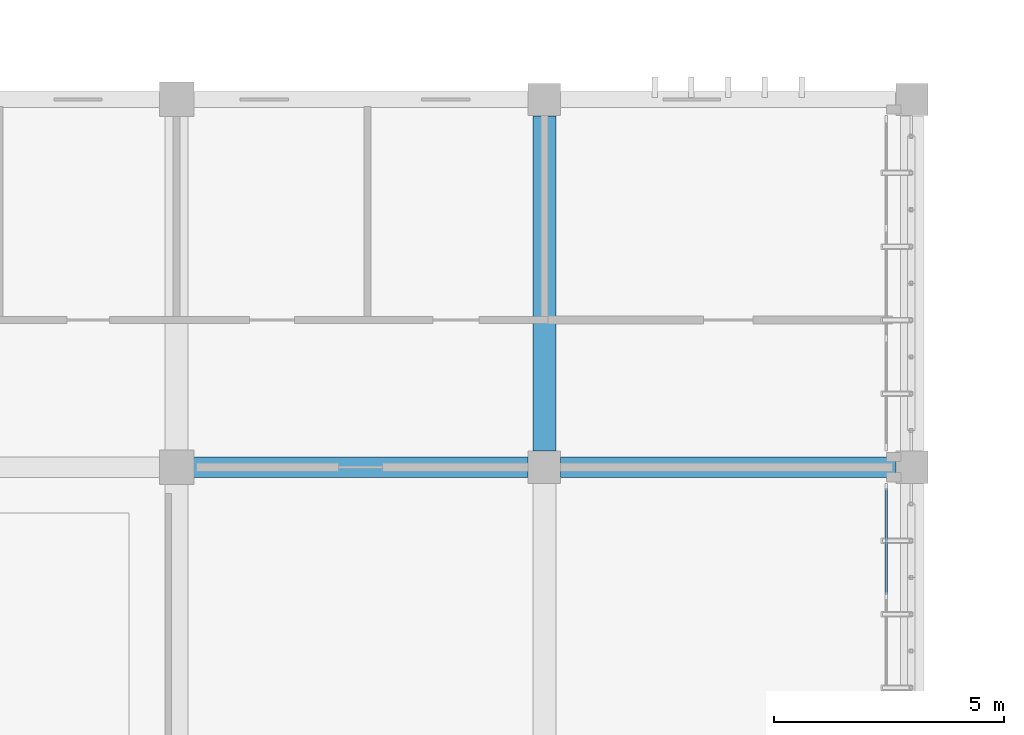
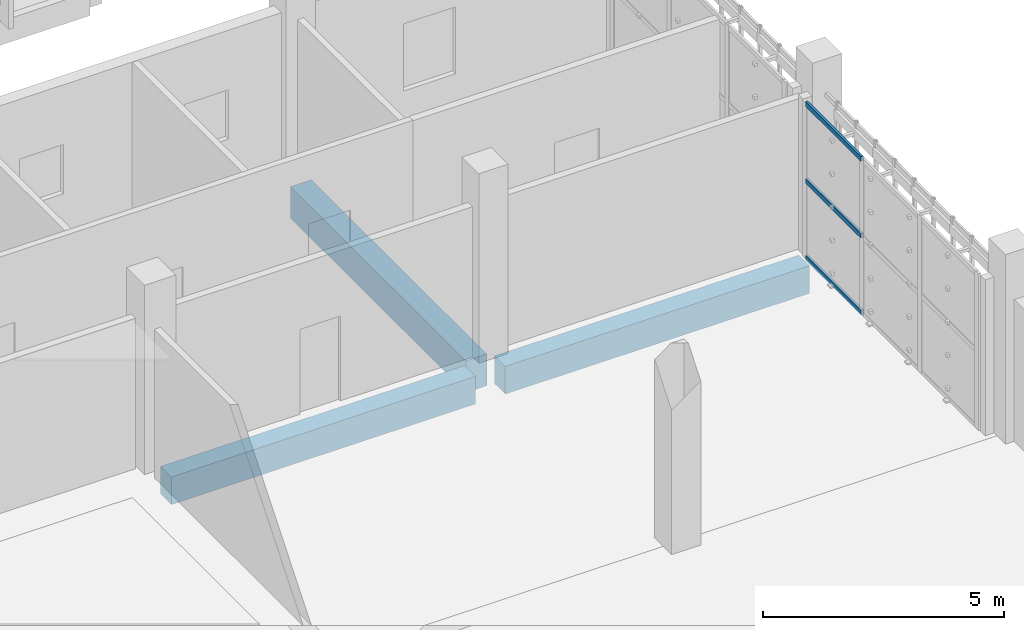
# One storey, part 67 of 117: 3 beams, 3 members, 1 element without a shape of its own.
"""IFC4 building model written with IfcOpenShell, lengths in metres."""

from ifc_helpers import new_model, si_unit, direction, frame, origin, origin_2d, place, context, subcontext, project, spatial, rectangle, extrude, material, layer, layer_set, material_profile, profile_set, type_object, element, aggregate, save


model = new_model("IFC4")

# Units and contexts
model_context = context("Model", 3, precision=1e-05, world=origin(), true_north=direction((0.0, 1.0)))
body_context = subcontext(model_context, "Body", "Model", "MODEL_VIEW")
ifc_project = project(units=[si_unit("LENGTHUNIT", "METRE"), si_unit("AREAUNIT", "SQUARE_METRE"), si_unit("VOLUMEUNIT", "CUBIC_METRE"), si_unit("PLANEANGLEUNIT", "RADIAN"), si_unit("MASSUNIT", "GRAM", prefix="KILO")], contexts=[model_context])

# Site, building, storey
site_placement = place(None, origin())
site = spatial("IfcSite", under=ifc_project, at=site_placement, CompositionType="ELEMENT")
building_placement = place(site_placement, origin())
building = spatial("IfcBuilding", under=site, at=building_placement, Name="Jelvoka-Kovrelna Polytechnic", CompositionType="ELEMENT")
storey_placement = place(building_placement, origin())
storey = spatial("IfcBuildingStorey", under=building, at=storey_placement, Name="L01", CompositionType="ELEMENT", Elevation=0.0)

# Beams
ifc_material_1 = material(Name="Concrete C40/50", Category="concrete")
ifc_material_profile_1 = material_profile(ifc_material_1, rectangle(XDim=0.449951171875, YDim=0.699951171875, at=origin_2d()), Name="RC 450x700")
ifc_profile_set_1 = profile_set([ifc_material_profile_1], Name="Concrete C40/50")
beam_type_1 = type_object("IfcBeamType", Name="Beam_RC_450x700", PredefinedType="BEAM", material=ifc_profile_set_1)
for number, where, z_axis, x_axis, name in (
    (1, (184.35498046875, 40.0, -0.7548828125), (1.0, 0.0, 0.0), (0.0, 1.0, 0.0), "L01 beam 0412"),
    (2, (192.35498046875, 40.0, -0.7548828125), (1.0, 0.0, 0.0), (0.0, 1.0, 0.0), "L01 beam 0413"),
):
    element("IfcBeam", number, at=place(storey_placement, frame(where, z_axis=z_axis, x_axis=x_axis)), inside=storey, type_object=beam_type_1, Name=name, PredefinedType="BEAM", context=body_context, shape_type="SweptSolid", body=[
        extrude(rectangle(XDim=0.449951171875, YDim=0.699951171875, at=origin_2d()), origin(), (0.0, 0.0, 1.0), 7.2900390625),
    ])
ifc_material_2 = material(Name="Concrete C40/50", Category="concrete")
ifc_material_profile_2 = material_profile(ifc_material_2, rectangle(XDim=0.5, YDim=0.800048828125, at=origin_2d()), Name="RC 500x800")
ifc_profile_set_2 = profile_set([ifc_material_profile_2], Name="Concrete C40/50")
beam_type_2 = type_object("IfcBeamType", Name="Beam_RC_500x800", PredefinedType="BEAM", material=ifc_profile_set_2)
beam_placement = place(storey_placement, frame((192.0, 40.35498046875, -0.804931640625), z_axis=(0.0, 1.0, 0.0), x_axis=(-1.0, 0.0, 0.0)))
element("IfcBeam", 3, at=beam_placement, inside=storey, type_object=beam_type_2, Name="L01 beam 0440", PredefinedType="BEAM", context=body_context, shape_type="SweptSolid", body=[
    extrude(rectangle(XDim=0.5, YDim=0.800048828125, at=origin_2d()), origin(), (0.0, 0.0, 1.0), 7.2900390625),
])

# Curtain wall, members
ifc_material_3 = material(Name="Anodised aluminium 6063-T6", Category="aluminium")
ifc_layer = layer(ifc_material_3, 0.159912109375)
ifc_layer_set = layer_set([ifc_layer], Name="Anodised aluminium 6063-T6")
curtain_wall_type = type_object("IfcCurtainWallType", Name="CW_Recessed_A", PredefinedType="NOTDEFINED", material=ifc_layer_set)
curtain_wall_placement = place(storey_placement, origin())
curtain_wall = element("IfcCurtainWall", 4, at=curtain_wall_placement, inside=storey, type_object=curtain_wall_type, Name="L01 glazed curtain wall 044", PredefinedType="NOTDEFINED")
ifc_material_4 = material(Name="Anodised aluminium 6063-T6", Category="aluminium")
ifc_material_profile_3 = material_profile(ifc_material_4, rectangle(XDim=0.06005859375, YDim=0.1201171875, at=origin_2d()), Name="ALU 60x120")
ifc_profile_set_3 = profile_set([ifc_material_profile_3], Name="Anodised aluminium 6063-T6")
member_type = type_object("IfcMemberType", Name="Transom_T-01", PredefinedType="USERDEFINED", material=ifc_profile_set_3)
member_1_placement = place(storey_placement, frame((199.43994140625, 39.5400390625, 0.030029296875), z_axis=(0.0, -1.0, 0.0), x_axis=(1.0, 0.0, 0.0)))
member_1 = element("IfcMember", 5, at=member_1_placement, type_object=member_type, Name="CW-01 transom 1.1", ObjectType="TRANSOM", PredefinedType="USERDEFINED", context=body_context, shape_type="SweptSolid", body=[
    extrude(rectangle(XDim=0.06005859375, YDim=0.1201171875, at=origin_2d()), origin(), (0.0, 0.0, 1.0), 2.31005859375),
])
member_2_placement = place(storey_placement, frame((199.43994140625, 39.5400390625, 1.97509765625), z_axis=(0.0, -1.0, 0.0), x_axis=(1.0, 0.0, 0.0)))
member_2 = element("IfcMember", 6, at=member_2_placement, type_object=member_type, Name="CW-01 transom 1.2", ObjectType="TRANSOM", PredefinedType="USERDEFINED", context=body_context, shape_type="SweptSolid", body=[
    extrude(rectangle(XDim=0.06005859375, YDim=0.1201171875, at=origin_2d()), origin(), (0.0, 0.0, 1.0), 2.31005859375),
])
member_3_placement = place(storey_placement, frame((199.43994140625, 39.5400390625, 3.919921875), z_axis=(0.0, -1.0, 0.0), x_axis=(1.0, 0.0, 0.0)))
member_3 = element("IfcMember", 7, at=member_3_placement, type_object=member_type, Name="CW-01 transom 1.3", ObjectType="TRANSOM", PredefinedType="USERDEFINED", context=body_context, shape_type="SweptSolid", body=[
    extrude(rectangle(XDim=0.06005859375, YDim=0.1201171875, at=origin_2d()), origin(), (0.0, 0.0, 1.0), 2.31005859375),
])
aggregate(curtain_wall, [member_1, member_2, member_3])

save(model, "model.ifc")
